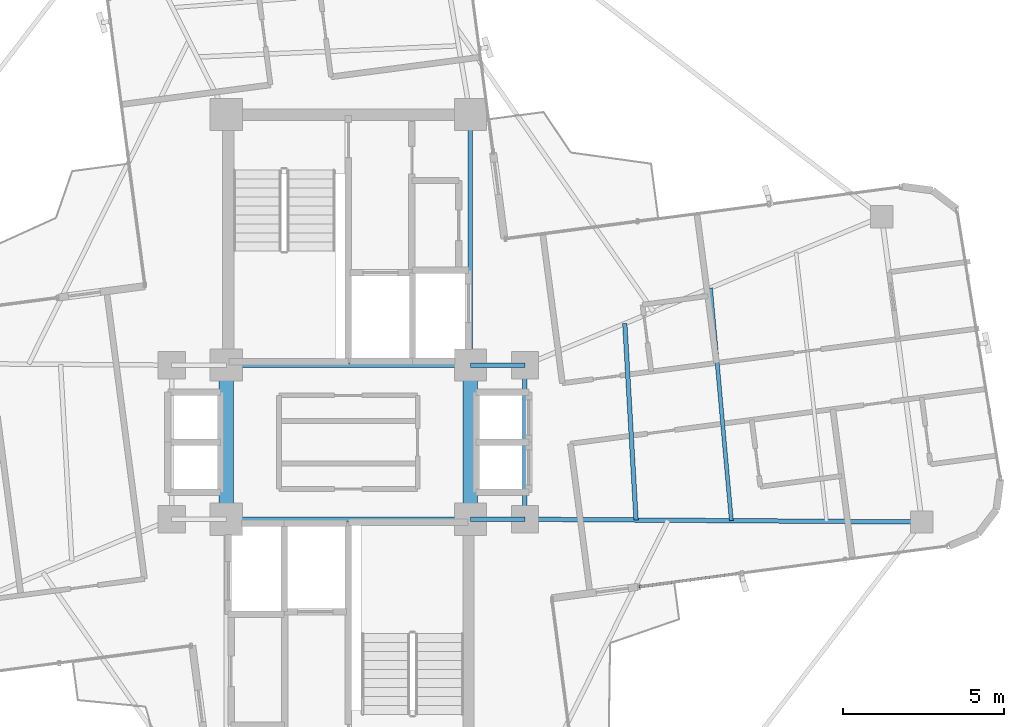
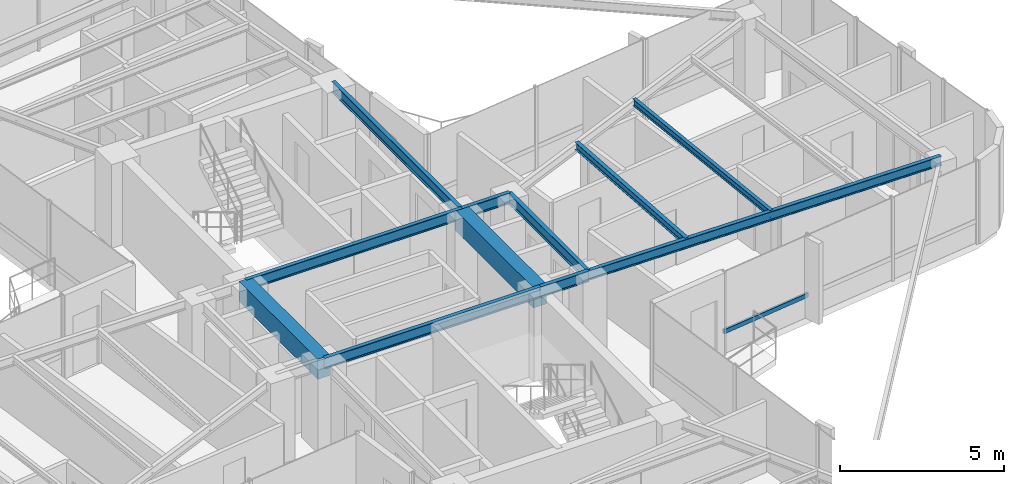
# One storey, part 9 of 21: 11 beams, 1 member, 1 element without a shape of its own.
"""IFC4 building model written with IfcOpenShell, lengths in metres."""

from ifc_helpers import new_model, si_unit, direction, frame, origin, origin_2d, place, context, subcontext, project, spatial, rectangle, hollow_rectangle, i_section, extrude, source, transform, mapped, material, material_profile, profile_set, type_object, element, aggregate, save


model = new_model("IFC4")

# Units and contexts
model_context = context("Model", 3, precision=1e-05, world=origin(), true_north=direction((0.0, 1.0)))
body_context = subcontext(model_context, "Body", "Model", "MODEL_VIEW")
ifc_project = project(units=[si_unit("LENGTHUNIT", "METRE"), si_unit("AREAUNIT", "SQUARE_METRE"), si_unit("VOLUMEUNIT", "CUBIC_METRE"), si_unit("PLANEANGLEUNIT", "RADIAN"), si_unit("MASSUNIT", "GRAM", prefix="KILO")], contexts=[model_context])

# Site, building, storey
site_placement = place(None, origin())
site = spatial("IfcSite", under=ifc_project, at=site_placement, CompositionType="ELEMENT")
building_placement = place(site_placement, origin())
building = spatial("IfcBuilding", under=site, at=building_placement, Name="Sahyath Konkavel Grand Hotel", CompositionType="ELEMENT")
storey_placement = place(building_placement, frame((0.0, 0.0, 219.89990234375)))
storey = spatial("IfcBuildingStorey", under=building, at=storey_placement, Name="L61", CompositionType="ELEMENT", Elevation=219.89990234375)

# Beams
ifc_material_1 = material(Name="Steel E350", Category="steel")
ifc_material_profile_1 = material_profile(ifc_material_1, i_section(OverallWidth=0.139892578125, OverallDepth=0.39990234375, WebThickness=0.0087890625, FlangeThickness=0.01611328125, FilletRadius=0.013916015625, at=origin_2d()), Name="ISMB 400")
ifc_profile_set_1 = profile_set([ifc_material_profile_1], Name="Steel E350")
beam_type_1 = type_object("IfcBeamType", Name="BM-ISMB400", PredefinedType="BEAM", material=ifc_profile_set_1)
shared_shape_1 = source(origin(), body_context, "Body", "SweptSolid", [
    extrude(i_section(OverallWidth=0.139892578125, OverallDepth=0.39990234375, WebThickness=0.0087890625, FlangeThickness=0.01611328125, FilletRadius=0.013916015625, at=origin_2d()), origin(), (0.0, 0.0, 1.0), 7.60009765625),
])
for number, where, z_axis, x_axis, name in (
    (1, (-3.800048828125, 2.39990234375, 2.91015625), (1.0, 0.0, 0.0), (0.0, 1.0, 0.0), "str:bm:L61:NC-S"),
    (2, (-3.800048828125, -2.39990234375, 2.91015625), (1.0, 0.0, 0.0), (0.0, 1.0, 0.0), "str:bm:L61:SC-N"),
):
    element("IfcBeam", number, at=place(storey_placement, frame(where, z_axis=z_axis, x_axis=x_axis)), inside=storey, type_object=beam_type_1, Name=name, PredefinedType="BEAM", context=body_context, shape_type="MappedRepresentation", body=[
        mapped(shared_shape_1, transform((0.0, 0.0, 0.0), scale=1.0)),
    ])
shared_shape_2 = source(origin(), body_context, "Body", "SweptSolid", [
    extrude(i_section(OverallWidth=0.139892578125, OverallDepth=0.39990234375, WebThickness=0.0087890625, FlangeThickness=0.01611328125, FilletRadius=0.013916015625, at=origin_2d()), origin(), (0.0, 0.0, 1.0), 7.800048828125),
])
beam_1_placement = place(storey_placement, frame((3.800048828125, 2.39990234375, 2.91015625), z_axis=(0.0, 1.0, 0.0), x_axis=(-1.0, 0.0, 0.0)))
element("IfcBeam", 3, at=beam_1_placement, inside=storey, type_object=beam_type_1, Name="str:bm:L61:NC-E", PredefinedType="BEAM", context=body_context, shape_type="MappedRepresentation", body=[
    mapped(shared_shape_2, transform((0.0, 0.0, 0.0), scale=1.0)),
])
shared_shape_3 = source(origin(), body_context, "Body", "SweptSolid", [
    extrude(i_section(OverallWidth=0.139892578125, OverallDepth=0.39990234375, WebThickness=0.0087890625, FlangeThickness=0.01611328125, FilletRadius=0.013916015625, at=origin_2d()), origin(), (0.0, 0.0, 1.0), 1.699951171875),
])
for number, where, z_axis, x_axis, name in (
    (4, (3.800048828125, 2.39990234375, 2.91015625), (1.0, 0.0, 0.0), (0.0, 1.0, 0.0), "str:bm:L61:HB-NE"),
    (5, (3.800048828125, -2.39990234375, 2.91015625), (1.0, 0.0, 0.0), (0.0, 1.0, 0.0), "str:bm:L61:HB-SE"),
):
    element("IfcBeam", number, at=place(storey_placement, frame(where, z_axis=z_axis, x_axis=x_axis)), inside=storey, type_object=beam_type_1, Name=name, PredefinedType="BEAM", context=body_context, shape_type="MappedRepresentation", body=[
        mapped(shared_shape_3, transform((0.0, 0.0, 0.0), scale=1.0)),
    ])
shared_shape_4 = source(origin(), body_context, "Body", "SweptSolid", [
    extrude(i_section(OverallWidth=0.139892578125, OverallDepth=0.39990234375, WebThickness=0.0087890625, FlangeThickness=0.01611328125, FilletRadius=0.013916015625, at=origin_2d()), origin(), (0.0, 0.0, 1.0), 4.7998046875),
])
beam_2_placement = place(storey_placement, frame((5.5, -2.39990234375, 2.91015625), z_axis=(0.0, 1.0, 0.0), x_axis=(-1.0, 0.0, 0.0)))
element("IfcBeam", 6, at=beam_2_placement, inside=storey, type_object=beam_type_1, Name="str:bm:L61:HB-E", PredefinedType="BEAM", context=body_context, shape_type="MappedRepresentation", body=[
    mapped(shared_shape_4, transform((0.0, 0.0, 0.0), scale=1.0)),
])
ifc_material_2 = material(Name="Concrete C40/50", Category="concrete")
ifc_material_profile_2 = material_profile(ifc_material_2, rectangle(XDim=0.449951171875, YDim=0.75, at=origin_2d()), Name="RC 450x750")
ifc_profile_set_2 = profile_set([ifc_material_profile_2], Name="Concrete C40/50")
beam_type_2 = type_object("IfcBeamType", Name="BM-CB450x750", PredefinedType="LINTEL", material=ifc_profile_set_2)
shared_shape_5 = source(origin(), body_context, "Body", "SweptSolid", [
    extrude(rectangle(XDim=0.449951171875, YDim=0.75, at=origin_2d()), origin(), (0.0, 0.0, 1.0), 4.7998046875),
])
for number, where, z_axis, x_axis, name in (
    (7, (-3.800048828125, -2.39990234375, 2.735107421875), (0.0, 1.0, 0.0), (-1.0, 0.0, 0.0), "L61 Split-Core Coupling Beam West"),
    (8, (3.800048828125, -2.39990234375, 2.735107421875), (0.0, 1.0, 0.0), (-1.0, 0.0, 0.0), "L61 Split-Core Coupling Beam East"),
):
    element("IfcBeam", number, at=place(storey_placement, frame(where, z_axis=z_axis, x_axis=x_axis)), inside=storey, type_object=beam_type_2, Name=name, PredefinedType="LINTEL", context=body_context, shape_type="MappedRepresentation", body=[
        mapped(shared_shape_5, transform((0.0, 0.0, 0.0), scale=1.0)),
    ])
ifc_material_profile_3 = material_profile(ifc_material_1, i_section(OverallWidth=0.139892578125, OverallDepth=0.35009765625, WebThickness=0.008056640625, FlangeThickness=0.01416015625, FilletRadius=0.013916015625, at=origin_2d()), Name="ISMB 350")
ifc_profile_set_3 = profile_set([ifc_material_profile_3], Name="Steel E350")
beam_type_3 = type_object("IfcBeamType", Name="BM-ISMB350", PredefinedType="BEAM", material=ifc_profile_set_3)
shared_shape_6 = source(origin(), body_context, "Body", "SweptSolid", [
    extrude(i_section(OverallWidth=0.139892578125, OverallDepth=0.35009765625, WebThickness=0.008056640625, FlangeThickness=0.01416015625, FilletRadius=0.013916015625, at=origin_2d()), origin(), (0.0, 0.0, 1.0), 12.364501953125),
])
beam_3_placement = place(storey_placement, frame((5.5, -2.39990234375, 2.93505859375), z_axis=(0.999975983341, -0.006930565717, 0.0), x_axis=(0.006930565717, 0.999975983341, 0.0)))
element("IfcBeam", 9, at=beam_3_placement, inside=storey, type_object=beam_type_3, Name="L61 Cruciform Radial Girder EA", PredefinedType="BEAM", context=body_context, shape_type="MappedRepresentation", body=[
    mapped(shared_shape_6, transform((0.0, 0.0, 0.0), scale=1.0)),
])
ifc_material_profile_4 = material_profile(ifc_material_1, i_section(OverallWidth=0.139892578125, OverallDepth=0.27490234375, WebThickness=0.00634765625, FlangeThickness=0.0087890625, FilletRadius=0.012939453125, at=origin_2d()), Name="ISLB 275")
ifc_profile_set_4 = profile_set([ifc_material_profile_4], Name="Steel E350")
beam_type_4 = type_object("IfcBeamType", Name="BM-ISLB275", PredefinedType="BEAM", material=ifc_profile_set_4)
shared_shape_7 = source(origin(), body_context, "Body", "SweptSolid", [
    extrude(i_section(OverallWidth=0.139892578125, OverallDepth=0.27490234375, WebThickness=0.00634765625, FlangeThickness=0.0087890625, FilletRadius=0.012939453125, at=origin_2d()), origin(), (0.0, 0.0, 1.0), 6.128662109375),
])
beam_4_placement = place(storey_placement, frame((8.9619140625, -2.423828125, 2.97265625), z_axis=(-0.057204076243, 0.998362506137, 0.0), x_axis=(-0.998362506137, -0.057204076243, 0.0)))
element("IfcBeam", 10, at=beam_4_placement, inside=storey, type_object=beam_type_4, Name="L61 Secondary Floor Beam E-1", PredefinedType="BEAM", context=body_context, shape_type="MappedRepresentation", body=[
    mapped(shared_shape_7, transform((0.0, 0.0, 0.0), scale=1.0)),
])
ifc_material_profile_5 = material_profile(ifc_material_1, i_section(OverallWidth=0.125, OverallDepth=0.25, WebThickness=0.0068359375, FlangeThickness=0.012451171875, FilletRadius=0.012939453125, at=origin_2d()), Name="ISMB 250")
ifc_profile_set_5 = profile_set([ifc_material_profile_5], Name="Steel E350")
beam_type_5 = type_object("IfcBeamType", Name="BM-ISMB250", PredefinedType="BEAM", material=ifc_profile_set_5)
shared_shape_8 = source(origin(), body_context, "Body", "SweptSolid", [
    extrude(i_section(OverallWidth=0.125, OverallDepth=0.25, WebThickness=0.0068359375, FlangeThickness=0.012451171875, FilletRadius=0.012939453125, at=origin_2d()), origin(), (0.0, 0.0, 1.0), 7.278564453125),
])
beam_5_placement = place(storey_placement, frame((11.929443359375, -2.444580078125, 2.985107421875), z_axis=(-0.089459019762, 0.995990503862, 0.0), x_axis=(-0.995990503862, -0.089459019762, 0.0)))
element("IfcBeam", 11, at=beam_5_placement, inside=storey, type_object=beam_type_5, Name="L61 Secondary Floor Beam E-2", PredefinedType="BEAM", context=body_context, shape_type="MappedRepresentation", body=[
    mapped(shared_shape_8, transform((0.0, 0.0, 0.0), scale=1.0)),
])

# Curtain wall, member
ifc_material_3 = material(Name="Anodised Bronze Aluminium & Low-E Glazing", Category="aluminium")
curtain_wall_type = type_object("IfcCurtainWallType", Name="CW-ZONE4", PredefinedType="NOTDEFINED", material=ifc_material_3)
curtain_wall_placement = place(storey_placement, origin())
curtain_wall = element("IfcCurtainWall", 12, at=curtain_wall_placement, inside=storey, type_object=curtain_wall_type, Name="L61 Unitised Curtain Wall F0", PredefinedType="NOTDEFINED")
ifc_material_4 = material(Name="Anodised Bronze Aluminium", Category="aluminium")
ifc_material_profile_6 = material_profile(ifc_material_4, hollow_rectangle(XDim=0.080078125, YDim=0.159912109375, WallThickness=0.006103515625, at=origin_2d()), Name="RHS 160x80x6")
ifc_profile_set_6 = profile_set([ifc_material_profile_6], Name="Anodised Bronze Aluminium")
member_type = type_object("IfcMemberType", Name="CW-TRN-160", PredefinedType="USERDEFINED", material=ifc_profile_set_6)
shared_shape_9 = source(origin(), body_context, "Body", "SweptSolid", [
    extrude(hollow_rectangle(XDim=0.080078125, YDim=0.159912109375, WallThickness=0.006103515625, at=origin_2d()), origin(), (0.0, 0.0, 1.0), 3.23681640625),
])
member_placement = place(storey_placement, frame((9.05126953125, -4.503173828125, 0.85009765625), z_axis=(0.991440684158, 0.130557917404, 0.0), x_axis=(-0.130557917404, 0.991440684158, 0.0)))
member = element("IfcMember", 13, at=member_placement, type_object=member_type, Name="L61 Curtain Wall Transom F0-0-spandrel", ObjectType="TRANSOM", PredefinedType="USERDEFINED", context=body_context, shape_type="MappedRepresentation", body=[
    mapped(shared_shape_9, transform((0.0, 0.0, 0.0), scale=1.0)),
])
aggregate(curtain_wall, [member])

save(model, "model.ifc")
